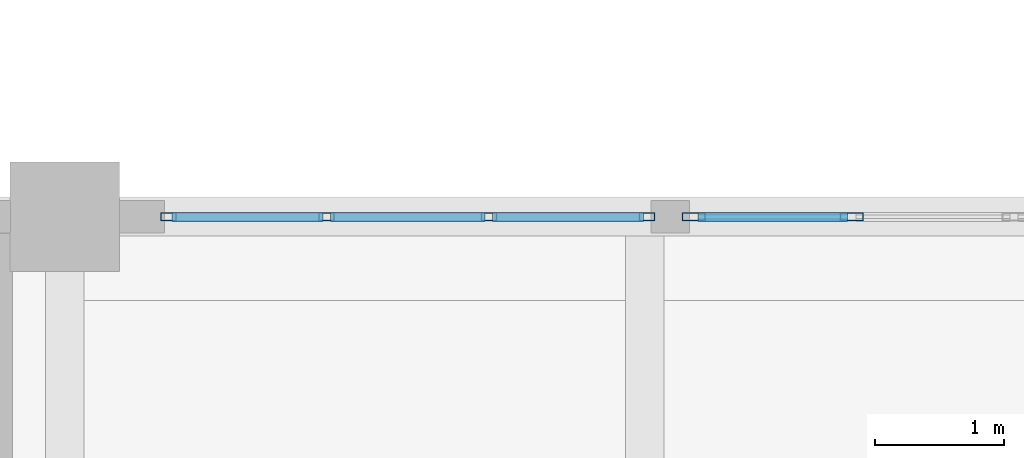
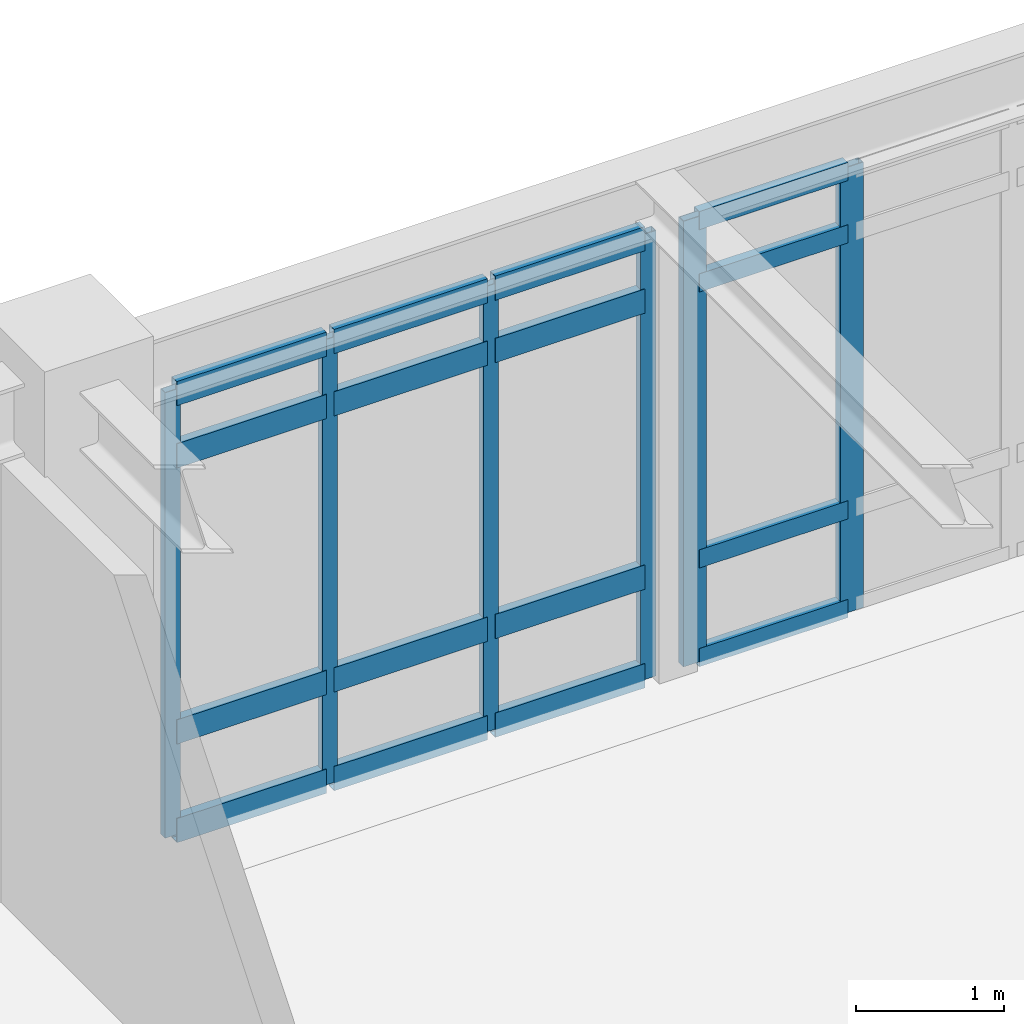
# One storey, part 14 of 55: 22 members, 2 elements without a shape of their own.
"""IFC4 building model written with IfcOpenShell, lengths in metres."""

import ifcopenshell
import ifcopenshell.guid

model = None  # the IFC model being written
_history = None  # IfcOwnerHistory: only IFC2X3 demands one
_inside = {}  # id of a spatial element -> (the spatial element, [elements in it])
_under = {}  # id of a project, library or spatial element -> (it, [spatial elements below it])
_declared = {}  # id of a project -> (the project, [libraries it declares])
_typed = {}  # id of a type object -> (the type object, [elements of that type])
_made_of = {}  # id of a material, layer set ... -> (it, [elements and type objects made of it])


def new_model(schema):
    """Start an empty IFC model of exactly this schema.

    Asked for "IFC4X3", IfcOpenShell would pick the latest addendum, in which some entities
    have other attributes; the version numbers below select the first issue.
    IFC2X3 requires an IfcOwnerHistory on every rooted entity: one is made here for all.
    """
    global model, _history
    if schema == "IFC4X3":
        model = ifcopenshell.file(schema_version=(4, 3, 0, 0))
    else:
        model = ifcopenshell.file(schema=schema)
    _inside.clear()
    _under.clear()
    _declared.clear()
    _typed.clear()
    _made_of.clear()
    _history = None
    if model.schema == "IFC2X3":
        org = make("IfcOrganization", Name="unknown")
        user = make(
            "IfcPersonAndOrganization",
            ThePerson=make("IfcPerson", FamilyName="unknown"),
            TheOrganization=org,
        )
        app = make(
            "IfcApplication",
            ApplicationDeveloper=org,
            Version="unknown",
            ApplicationFullName="unknown",
            ApplicationIdentifier="unknown",
        )
        _history = make(
            "IfcOwnerHistory",
            OwningUser=user,
            OwningApplication=app,
            ChangeAction="ADDED",
            CreationDate=0,
        )
    return model


def make(cls, **values):
    """One entity of the class cls with the attributes given. An attribute that is None is left unset."""
    return model.create_entity(
        cls, **{name: value for name, value in values.items() if value is not None}
    )


def rooted(cls, **values):
    """An entity with a GlobalId (a new one), such as an element, a storey or a relation."""
    return make(cls, GlobalId=ifcopenshell.guid.new(), OwnerHistory=_history, **values)


def si_unit(unit_type, name, prefix=None):
    """IfcSIUnit, for example si_unit("LENGTHUNIT", "METRE", prefix="MILLI")."""
    return make("IfcSIUnit", UnitType=unit_type, Prefix=prefix, Name=name)


def assignment(units):
    """IfcUnitAssignment: the units of a project."""
    return None if units is None else make("IfcUnitAssignment", Units=units)


def point(xyz):
    """IfcCartesianPoint."""
    return None if xyz is None else make("IfcCartesianPoint", Coordinates=xyz)


def direction(xyz):
    """IfcDirection."""
    return None if xyz is None else make("IfcDirection", DirectionRatios=xyz)


def frame(location, z_axis=None, x_axis=None):
    """IfcAxis2Placement3D, a coordinate frame: its origin and axes. An axis left out is left unset."""
    return make(
        "IfcAxis2Placement3D",
        Location=point(location),
        Axis=direction(z_axis),
        RefDirection=direction(x_axis),
    )


def frame_2d(location, x_axis=None):
    """IfcAxis2Placement2D, a coordinate frame in the plane: its origin and x axis."""
    return make(
        "IfcAxis2Placement2D", Location=point(location), RefDirection=direction(x_axis)
    )


def origin():
    """The frame at (0, 0, 0) with its axes left unset."""
    return frame((0.0, 0.0, 0.0))


def origin_2d():
    """The frame at (0, 0) in the plane with its x axis left unset."""
    return frame_2d((0.0, 0.0))


def place(relative_to, where):
    """IfcLocalPlacement: puts the frame where relative to a parent placement (None: the world)."""
    return make(
        "IfcLocalPlacement", PlacementRelTo=relative_to, RelativePlacement=where
    )


def context(
    kind, dimensions, precision=None, world=None, true_north=None, identifier=None
):
    """IfcGeometricRepresentationContext, for example the 3D "Model" context."""
    return make(
        "IfcGeometricRepresentationContext",
        ContextIdentifier=identifier,
        ContextType=kind,
        CoordinateSpaceDimension=dimensions,
        Precision=precision,
        WorldCoordinateSystem=world,
        TrueNorth=true_north,
    )


def subcontext(parent, identifier, kind, view, scale=None):
    """IfcGeometricRepresentationSubContext, for example "Body" below "Model"."""
    return make(
        "IfcGeometricRepresentationSubContext",
        ContextIdentifier=identifier,
        ContextType=kind,
        ParentContext=parent,
        TargetScale=scale,
        TargetView=view,
    )


def project(units=None, contexts=None):
    """IfcProject with its units and contexts."""
    return rooted(
        "IfcProject",
        Name="project",
        RepresentationContexts=contexts,
        UnitsInContext=assignment(units),
    )


def spatial(cls, under=None, at=None, **own):
    """A site, building, storey or space (cls), placed at a placement, below another one or the project."""
    s = rooted(cls, ObjectPlacement=at, **own)
    if under is not None:
        _under.setdefault(under.id(), (under, []))[1].append(s)
    return s


def profile(cls, at=None, kind="AREA", **sizes):
    """A parametric profile (cls). Its sizes go by their IFC names, for example OverallWidth=200.0."""
    return make(cls, ProfileType=kind, Position=at, **sizes)


def hollow_rectangle(**sizes):
    """IfcRectangleHollowProfileDef."""
    return profile("IfcRectangleHollowProfileDef", **sizes)


def extrude(swept, where, along, depth):
    """IfcExtrudedAreaSolid: the profile swept, set in the frame where, extruded along a direction by depth."""
    return make(
        "IfcExtrudedAreaSolid",
        SweptArea=swept,
        Position=where,
        ExtrudedDirection=direction(along),
        Depth=depth,
    )


def shape(context_of_items, identifier, shape_type, items):
    """IfcShapeRepresentation: the items that make up one representation, for example the "Body"."""
    return make(
        "IfcShapeRepresentation",
        ContextOfItems=context_of_items,
        RepresentationIdentifier=identifier,
        RepresentationType=shape_type,
        Items=items,
    )


def material(Name=None, Category=None):
    """IfcMaterial."""
    return make("IfcMaterial", Name=Name, Category=Category)


def layer(
    of_material, thickness, ventilated=None, Name=None, Category=None, Priority=None
):
    """IfcMaterialLayer: one layer of a wall or slab, of a material (None: an air gap)."""
    return make(
        "IfcMaterialLayer",
        Material=of_material,
        LayerThickness=thickness,
        IsVentilated=ventilated,
        Name=Name,
        Category=Category,
        Priority=Priority,
    )


def layer_set(layers, Name=None):
    """IfcMaterialLayerSet."""
    return make("IfcMaterialLayerSet", MaterialLayers=layers, LayerSetName=Name)


def material_profile(
    of_material, cross_section, Name=None, Category=None, Priority=None
):
    """IfcMaterialProfile: a cross section and its material."""
    return make(
        "IfcMaterialProfile",
        Name=Name,
        Material=of_material,
        Profile=cross_section,
        Priority=Priority,
        Category=Category,
    )


def profile_set(profiles, Name=None, composite=None):
    """IfcMaterialProfileSet."""
    return make(
        "IfcMaterialProfileSet",
        Name=Name,
        MaterialProfiles=profiles,
        CompositeProfile=composite,
    )


def made_of(thing, what):
    """Note that an element or type object is made of a material, layer set ...; save() writes the relation."""
    if what is not None:
        _made_of.setdefault(what.id(), (what, []))[1].append(thing)
    return thing


def type_object(cls, material=None, **own):
    """A type object (cls), such as IfcWallType, which elements share."""
    return made_of(rooted(cls, **own), material)


def element(
    cls,
    number,
    at=None,
    inside=None,
    cuts=None,
    type_object=None,
    material=None,
    context=None,
    identifier="Body",
    shape_type=None,
    held_by="IfcProductDefinitionShape",
    body=None,
    shapes=None,
    **own,
):
    """One element of the class cls, such as IfcWall. Its Tag is "e" and its number.

    at: its placement. inside: the storey or other place that contains it. cuts: it is an
    opening in that element (IfcRelVoidsElement). A single representation is given by context,
    identifier, shape_type and body (its items); several are given by shapes. held_by: the class
    of the entity that holds the representations. save() writes the other relations.
    """
    e = rooted(cls, Tag="e%d" % number, ObjectPlacement=at, **own)
    if body is not None:
        shapes = [shape(context, identifier, shape_type, body)]
    if shapes is not None:
        e.Representation = make(held_by, Representations=shapes)
    if inside is not None:
        _inside.setdefault(inside.id(), (inside, []))[1].append(e)
    if cuts is not None:
        rooted(
            "IfcRelVoidsElement", RelatingBuildingElement=cuts, RelatedOpeningElement=e
        )
    if type_object is not None:
        _typed.setdefault(type_object.id(), (type_object, []))[1].append(e)
    return made_of(e, material)


def aggregate(whole, parts):
    """IfcRelAggregates: a whole, such as a stair, and the parts it consists of."""
    return rooted("IfcRelAggregates", RelatingObject=whole, RelatedObjects=parts)


def save(model, path):
    """Write the relations noted so far, then the file.

    IfcRelAggregates (storeys below a building ...), IfcRelContainedInSpatialStructure (elements
    in a storey), IfcRelDefinesByType, IfcRelAssociatesMaterial and IfcRelDeclares: one each for
    every whole, place, type object, material and project.
    """
    for whole, parts in _under.values():
        aggregate(whole, parts)
    for where, things in _inside.values():
        rooted(
            "IfcRelContainedInSpatialStructure",
            RelatedElements=things,
            RelatingStructure=where,
        )
    for kind, things in _typed.values():
        rooted("IfcRelDefinesByType", RelatedObjects=things, RelatingType=kind)
    for what, things in _made_of.values():
        rooted("IfcRelAssociatesMaterial", RelatedObjects=things, RelatingMaterial=what)
    for by, libraries in _declared.values():
        rooted("IfcRelDeclares", RelatingContext=by, RelatedDefinitions=libraries)
    model.write(path)


model = new_model("IFC4")

# Units and contexts
model_context = context("Model", 3, precision=1e-05, world=origin(), true_north=direction((0.0, 1.0)))
body_context = subcontext(model_context, "Body", "Model", "MODEL_VIEW")
ifc_project = project(units=[si_unit("LENGTHUNIT", "METRE"), si_unit("AREAUNIT", "SQUARE_METRE"), si_unit("VOLUMEUNIT", "CUBIC_METRE"), si_unit("PLANEANGLEUNIT", "RADIAN"), si_unit("MASSUNIT", "GRAM", prefix="KILO")], contexts=[model_context])

# Site, building, storey
site_placement = place(None, origin())
site = spatial("IfcSite", under=ifc_project, at=site_placement, CompositionType="ELEMENT")
building_placement = place(site_placement, origin())
building = spatial("IfcBuilding", under=site, at=building_placement, Name="Fikremerkos Civic Library", CompositionType="ELEMENT")
storey_placement = place(building_placement, frame((0.0, 0.0, 18.89990234375)))
storey = spatial("IfcBuildingStorey", under=building, at=storey_placement, Name="L04", CompositionType="ELEMENT", Elevation=18.89990234375)

# Curtain wall, members
ifc_material = material(Name="Anodized aluminium Frame", Category="aluminium")
ifc_layer_1 = layer(ifc_material, 0.159912109375, Name="Anodized aluminium Frame")
ifc_layer_set_1 = layer_set([ifc_layer_1], Name="Anodized aluminium Frame")
curtain_wall_type_1 = type_object("IfcCurtainWallType", Name="Unitised curtain wall CW-17 4600x3600", PredefinedType="USERDEFINED", material=ifc_layer_set_1)
curtain_wall_1_placement = place(storey_placement, origin())
curtain_wall_1 = element("IfcCurtainWall", 1, at=curtain_wall_1_placement, inside=storey, type_object=curtain_wall_type_1, Name="Unitised curtain wall CW-17 L04 #233", ObjectType="UNITISED CURTAIN WALL", PredefinedType="USERDEFINED")
ifc_material_profile_1 = material_profile(ifc_material, hollow_rectangle(XDim=0.06494140625, YDim=0.179931640625, WallThickness=0.00439453125, at=origin_2d()), Name="ALU 180x65x4.5")
ifc_profile_set_1 = profile_set([ifc_material_profile_1], Name="Anodized aluminium Frame")
member_type_1 = type_object("IfcMemberType", Name="Curtain mullion CWM-01 ALU 180x65x4.5", PredefinedType="MULLION", material=ifc_profile_set_1)
member_1_placement = place(storey_placement, frame((37.581787109375, 31.199951171875, 0.0), z_axis=(0.0, 0.0, 1.0), x_axis=(0.0, 1.0, 0.0)))
member_1 = element("IfcMember", 2, at=member_1_placement, type_object=member_type_1, Name="CW-17 mullion 1", PredefinedType="MULLION", context=body_context, shape_type="SweptSolid", body=[
    extrude(hollow_rectangle(XDim=0.06494140625, YDim=0.179931640625, WallThickness=0.00439453125, at=origin_2d()), origin(), (0.0, 0.0, 1.0), 3.68017578125),
])
member_2_placement = place(storey_placement, frame((38.80810546875, 31.199951171875, 0.0), z_axis=(0.0, 0.0, 1.0), x_axis=(0.0, 1.0, 0.0)))
member_2 = element("IfcMember", 3, at=member_2_placement, type_object=member_type_1, Name="CW-17 mullion 2", PredefinedType="MULLION", context=body_context, shape_type="SweptSolid", body=[
    extrude(hollow_rectangle(XDim=0.06494140625, YDim=0.179931640625, WallThickness=0.00439453125, at=origin_2d()), origin(), (0.0, 0.0, 1.0), 3.68017578125),
])

ifc_layer_2 = layer(ifc_material, 0.159912109375, Name="Anodized aluminium Frame")
ifc_layer_set_2 = layer_set([ifc_layer_2], Name="Anodized aluminium Frame")
curtain_wall_type_2 = type_object("IfcCurtainWallType", Name="Unitised curtain wall CW-16 3100x4100", PredefinedType="USERDEFINED", material=ifc_layer_set_2)
curtain_wall_2_placement = place(storey_placement, origin())
curtain_wall_2 = element("IfcCurtainWall", 4, at=curtain_wall_2_placement, inside=storey, type_object=curtain_wall_type_2, Name="Unitised curtain wall CW-16 L04 #232", ObjectType="UNITISED CURTAIN WALL", PredefinedType="USERDEFINED")
ifc_material_profile_2 = material_profile(ifc_material, hollow_rectangle(XDim=0.06005859375, YDim=0.1201171875, WallThickness=0.00390625, at=origin_2d()), Name="ALU 120x60x4")
ifc_profile_set_2 = profile_set([ifc_material_profile_2], Name="Anodized aluminium Frame")
member_type_2 = type_object("IfcMemberType", Name="Curtain mullion CWM-04 ALU 120x60x4", PredefinedType="MULLION", material=ifc_profile_set_2)
member_3_placement = place(storey_placement, frame((33.5029296875, 31.199951171875, 0.0), z_axis=(0.0, 0.0, 1.0), x_axis=(0.0, 1.0, 0.0)))
member_3 = element("IfcMember", 5, at=member_3_placement, type_object=member_type_2, Name="CW-16 mullion 1", PredefinedType="MULLION", context=body_context, shape_type="SweptSolid", body=[
    extrude(hollow_rectangle(XDim=0.06005859375, YDim=0.1201171875, WallThickness=0.00390625, at=origin_2d()), origin(), (0.0, 0.0, 1.0), 3.68017578125),
])
member_4_placement = place(storey_placement, frame((34.731689453125, 31.199951171875, 0.0), z_axis=(0.0, 0.0, 1.0), x_axis=(0.0, 1.0, 0.0)))
member_4 = element("IfcMember", 6, at=member_4_placement, type_object=member_type_2, Name="CW-16 mullion 2", PredefinedType="MULLION", context=body_context, shape_type="SweptSolid", body=[
    extrude(hollow_rectangle(XDim=0.06005859375, YDim=0.1201171875, WallThickness=0.00390625, at=origin_2d()), origin(), (0.0, 0.0, 1.0), 3.68017578125),
])
member_5_placement = place(storey_placement, frame((35.990478515625, 31.199951171875, 0.0), z_axis=(0.0, 0.0, 1.0), x_axis=(0.0, 1.0, 0.0)))
member_5 = element("IfcMember", 7, at=member_5_placement, type_object=member_type_2, Name="CW-16 mullion 3", PredefinedType="MULLION", context=body_context, shape_type="SweptSolid", body=[
    extrude(hollow_rectangle(XDim=0.06005859375, YDim=0.1201171875, WallThickness=0.00390625, at=origin_2d()), origin(), (0.0, 0.0, 1.0), 3.68017578125),
])
member_6_placement = place(storey_placement, frame((37.21923828125, 31.199951171875, 0.0), z_axis=(0.0, 0.0, 1.0), x_axis=(0.0, 1.0, 0.0)))
member_6 = element("IfcMember", 8, at=member_6_placement, type_object=member_type_2, Name="CW-16 mullion 4", PredefinedType="MULLION", context=body_context, shape_type="SweptSolid", body=[
    extrude(hollow_rectangle(XDim=0.06005859375, YDim=0.1201171875, WallThickness=0.00390625, at=origin_2d()), origin(), (0.0, 0.0, 1.0), 3.68017578125),
])

# Member
ifc_material_profile_3 = material_profile(ifc_material, hollow_rectangle(XDim=0.070068359375, YDim=0.14990234375, WallThickness=0.00439453125, at=origin_2d()), Name="ALU 150x70x4.5")
ifc_profile_set_3 = profile_set([ifc_material_profile_3], Name="Anodized aluminium Frame")
member_type_3 = type_object("IfcMemberType", Name="Curtain transom CWT-01 ALU 150x70x4.5", PredefinedType="USERDEFINED", material=ifc_profile_set_3)
member_7_placement = place(storey_placement, frame((37.6142578125, 31.199951171875, 0.03515625), z_axis=(1.0, 0.0, 0.0), x_axis=(0.0, 1.0, 0.0)))
member_7 = element("IfcMember", 9, at=member_7_placement, type_object=member_type_3, Name="CW-17 transom 1.1", ObjectType="TRANSOM", PredefinedType="USERDEFINED", context=body_context, shape_type="SweptSolid", body=[
    extrude(hollow_rectangle(XDim=0.070068359375, YDim=0.14990234375, WallThickness=0.00439453125, at=origin_2d()), origin(), (0.0, 0.0, 1.0), 1.161376953125),
])

member_8_placement = place(storey_placement, frame((37.6142578125, 31.199951171875, 0.85009765625), z_axis=(1.0, 0.0, 0.0), x_axis=(0.0, 1.0, 0.0)))
member_8 = element("IfcMember", 10, at=member_8_placement, type_object=member_type_3, Name="CW-17 transom 1.2", ObjectType="TRANSOM", PredefinedType="USERDEFINED", context=body_context, shape_type="SweptSolid", body=[
    extrude(hollow_rectangle(XDim=0.070068359375, YDim=0.14990234375, WallThickness=0.00439453125, at=origin_2d()), origin(), (0.0, 0.0, 1.0), 1.161376953125),
])

member_9_placement = place(storey_placement, frame((37.6142578125, 31.199951171875, 3.130126953125), z_axis=(1.0, 0.0, 0.0), x_axis=(0.0, 1.0, 0.0)))
member_9 = element("IfcMember", 11, at=member_9_placement, type_object=member_type_3, Name="CW-17 transom 1.3", ObjectType="TRANSOM", PredefinedType="USERDEFINED", context=body_context, shape_type="SweptSolid", body=[
    extrude(hollow_rectangle(XDim=0.070068359375, YDim=0.14990234375, WallThickness=0.00439453125, at=origin_2d()), origin(), (0.0, 0.0, 1.0), 1.161376953125),
])

member_10_placement = place(storey_placement, frame((37.6142578125, 31.199951171875, 3.64501953125), z_axis=(1.0, 0.0, 0.0), x_axis=(0.0, 1.0, 0.0)))
member_10 = element("IfcMember", 12, at=member_10_placement, type_object=member_type_3, Name="CW-17 transom 1.4", ObjectType="TRANSOM", PredefinedType="USERDEFINED", context=body_context, shape_type="SweptSolid", body=[
    extrude(hollow_rectangle(XDim=0.070068359375, YDim=0.14990234375, WallThickness=0.00439453125, at=origin_2d()), origin(), (0.0, 0.0, 1.0), 1.161376953125),
])

aggregate(curtain_wall_1, [member_1, member_2, member_7, member_8, member_9, member_10])

ifc_material_profile_4 = material_profile(ifc_material, hollow_rectangle(XDim=0.070068359375, YDim=0.199951171875, WallThickness=0.0048828125, at=origin_2d()), Name="ALU 200x70x5")
ifc_profile_set_4 = profile_set([ifc_material_profile_4], Name="Anodized aluminium Frame")
member_type_4 = type_object("IfcMemberType", Name="Curtain transom CWT-04 ALU 200x70x5", PredefinedType="USERDEFINED", material=ifc_profile_set_4)
member_11_placement = place(storey_placement, frame((33.532958984375, 31.199951171875, 0.03515625), z_axis=(1.0, 0.0, 0.0), x_axis=(0.0, 1.0, 0.0)))
member_11 = element("IfcMember", 13, at=member_11_placement, type_object=member_type_4, Name="CW-16 transom 1.1", ObjectType="TRANSOM", PredefinedType="USERDEFINED", context=body_context, shape_type="SweptSolid", body=[
    extrude(hollow_rectangle(XDim=0.070068359375, YDim=0.199951171875, WallThickness=0.0048828125, at=origin_2d()), origin(), (0.0, 0.0, 1.0), 1.168701171875),
])

member_12_placement = place(storey_placement, frame((33.532958984375, 31.199951171875, 0.85009765625), z_axis=(1.0, 0.0, 0.0), x_axis=(0.0, 1.0, 0.0)))
member_12 = element("IfcMember", 14, at=member_12_placement, type_object=member_type_4, Name="CW-16 transom 1.2", ObjectType="TRANSOM", PredefinedType="USERDEFINED", context=body_context, shape_type="SweptSolid", body=[
    extrude(hollow_rectangle(XDim=0.070068359375, YDim=0.199951171875, WallThickness=0.0048828125, at=origin_2d()), origin(), (0.0, 0.0, 1.0), 1.168701171875),
])

member_13_placement = place(storey_placement, frame((33.532958984375, 31.199951171875, 3.130126953125), z_axis=(1.0, 0.0, 0.0), x_axis=(0.0, 1.0, 0.0)))
member_13 = element("IfcMember", 15, at=member_13_placement, type_object=member_type_4, Name="CW-16 transom 1.3", ObjectType="TRANSOM", PredefinedType="USERDEFINED", context=body_context, shape_type="SweptSolid", body=[
    extrude(hollow_rectangle(XDim=0.070068359375, YDim=0.199951171875, WallThickness=0.0048828125, at=origin_2d()), origin(), (0.0, 0.0, 1.0), 1.168701171875),
])

member_14_placement = place(storey_placement, frame((33.532958984375, 31.199951171875, 3.64501953125), z_axis=(1.0, 0.0, 0.0), x_axis=(0.0, 1.0, 0.0)))
member_14 = element("IfcMember", 16, at=member_14_placement, type_object=member_type_4, Name="CW-16 transom 1.4", ObjectType="TRANSOM", PredefinedType="USERDEFINED", context=body_context, shape_type="SweptSolid", body=[
    extrude(hollow_rectangle(XDim=0.070068359375, YDim=0.199951171875, WallThickness=0.0048828125, at=origin_2d()), origin(), (0.0, 0.0, 1.0), 1.168701171875),
])

member_15_placement = place(storey_placement, frame((34.76171875, 31.199951171875, 0.03515625), z_axis=(1.0, 0.0, 0.0), x_axis=(0.0, 1.0, 0.0)))
member_15 = element("IfcMember", 17, at=member_15_placement, type_object=member_type_4, Name="CW-16 transom 2.1", ObjectType="TRANSOM", PredefinedType="USERDEFINED", context=body_context, shape_type="SweptSolid", body=[
    extrude(hollow_rectangle(XDim=0.070068359375, YDim=0.199951171875, WallThickness=0.0048828125, at=origin_2d()), origin(), (0.0, 0.0, 1.0), 1.19873046875),
])

member_16_placement = place(storey_placement, frame((34.76171875, 31.199951171875, 0.85009765625), z_axis=(1.0, 0.0, 0.0), x_axis=(0.0, 1.0, 0.0)))
member_16 = element("IfcMember", 18, at=member_16_placement, type_object=member_type_4, Name="CW-16 transom 2.2", ObjectType="TRANSOM", PredefinedType="USERDEFINED", context=body_context, shape_type="SweptSolid", body=[
    extrude(hollow_rectangle(XDim=0.070068359375, YDim=0.199951171875, WallThickness=0.0048828125, at=origin_2d()), origin(), (0.0, 0.0, 1.0), 1.19873046875),
])

member_17_placement = place(storey_placement, frame((34.76171875, 31.199951171875, 3.130126953125), z_axis=(1.0, 0.0, 0.0), x_axis=(0.0, 1.0, 0.0)))
member_17 = element("IfcMember", 19, at=member_17_placement, type_object=member_type_4, Name="CW-16 transom 2.3", ObjectType="TRANSOM", PredefinedType="USERDEFINED", context=body_context, shape_type="SweptSolid", body=[
    extrude(hollow_rectangle(XDim=0.070068359375, YDim=0.199951171875, WallThickness=0.0048828125, at=origin_2d()), origin(), (0.0, 0.0, 1.0), 1.19873046875),
])

member_18_placement = place(storey_placement, frame((34.76171875, 31.199951171875, 3.64501953125), z_axis=(1.0, 0.0, 0.0), x_axis=(0.0, 1.0, 0.0)))
member_18 = element("IfcMember", 20, at=member_18_placement, type_object=member_type_4, Name="CW-16 transom 2.4", ObjectType="TRANSOM", PredefinedType="USERDEFINED", context=body_context, shape_type="SweptSolid", body=[
    extrude(hollow_rectangle(XDim=0.070068359375, YDim=0.199951171875, WallThickness=0.0048828125, at=origin_2d()), origin(), (0.0, 0.0, 1.0), 1.19873046875),
])

member_19_placement = place(storey_placement, frame((36.0205078125, 31.199951171875, 0.03515625), z_axis=(1.0, 0.0, 0.0), x_axis=(0.0, 1.0, 0.0)))
member_19 = element("IfcMember", 21, at=member_19_placement, type_object=member_type_4, Name="CW-16 transom 3.1", ObjectType="TRANSOM", PredefinedType="USERDEFINED", context=body_context, shape_type="SweptSolid", body=[
    extrude(hollow_rectangle(XDim=0.070068359375, YDim=0.199951171875, WallThickness=0.0048828125, at=origin_2d()), origin(), (0.0, 0.0, 1.0), 1.168701171875),
])

member_20_placement = place(storey_placement, frame((36.0205078125, 31.199951171875, 0.85009765625), z_axis=(1.0, 0.0, 0.0), x_axis=(0.0, 1.0, 0.0)))
member_20 = element("IfcMember", 22, at=member_20_placement, type_object=member_type_4, Name="CW-16 transom 3.2", ObjectType="TRANSOM", PredefinedType="USERDEFINED", context=body_context, shape_type="SweptSolid", body=[
    extrude(hollow_rectangle(XDim=0.070068359375, YDim=0.199951171875, WallThickness=0.0048828125, at=origin_2d()), origin(), (0.0, 0.0, 1.0), 1.168701171875),
])

member_21_placement = place(storey_placement, frame((36.0205078125, 31.199951171875, 3.130126953125), z_axis=(1.0, 0.0, 0.0), x_axis=(0.0, 1.0, 0.0)))
member_21 = element("IfcMember", 23, at=member_21_placement, type_object=member_type_4, Name="CW-16 transom 3.3", ObjectType="TRANSOM", PredefinedType="USERDEFINED", context=body_context, shape_type="SweptSolid", body=[
    extrude(hollow_rectangle(XDim=0.070068359375, YDim=0.199951171875, WallThickness=0.0048828125, at=origin_2d()), origin(), (0.0, 0.0, 1.0), 1.168701171875),
])

member_22_placement = place(storey_placement, frame((36.0205078125, 31.199951171875, 3.64501953125), z_axis=(1.0, 0.0, 0.0), x_axis=(0.0, 1.0, 0.0)))
member_22 = element("IfcMember", 24, at=member_22_placement, type_object=member_type_4, Name="CW-16 transom 3.4", ObjectType="TRANSOM", PredefinedType="USERDEFINED", context=body_context, shape_type="SweptSolid", body=[
    extrude(hollow_rectangle(XDim=0.070068359375, YDim=0.199951171875, WallThickness=0.0048828125, at=origin_2d()), origin(), (0.0, 0.0, 1.0), 1.168701171875),
])

aggregate(curtain_wall_2, [member_3, member_4, member_5, member_6, member_11, member_12, member_13, member_14, member_15, member_16, member_17, member_18, member_19, member_20, member_21, member_22])

save(model, "model.ifc")
